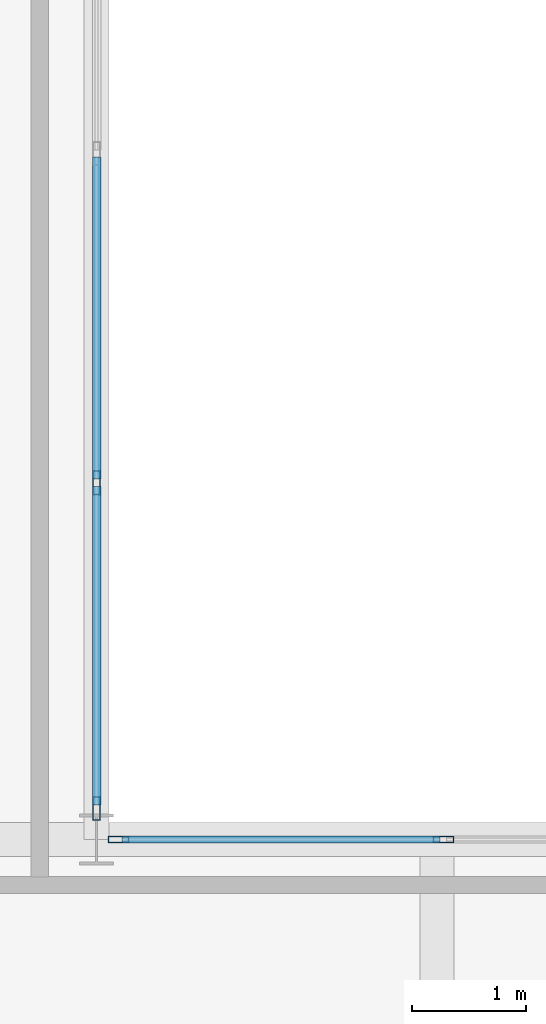
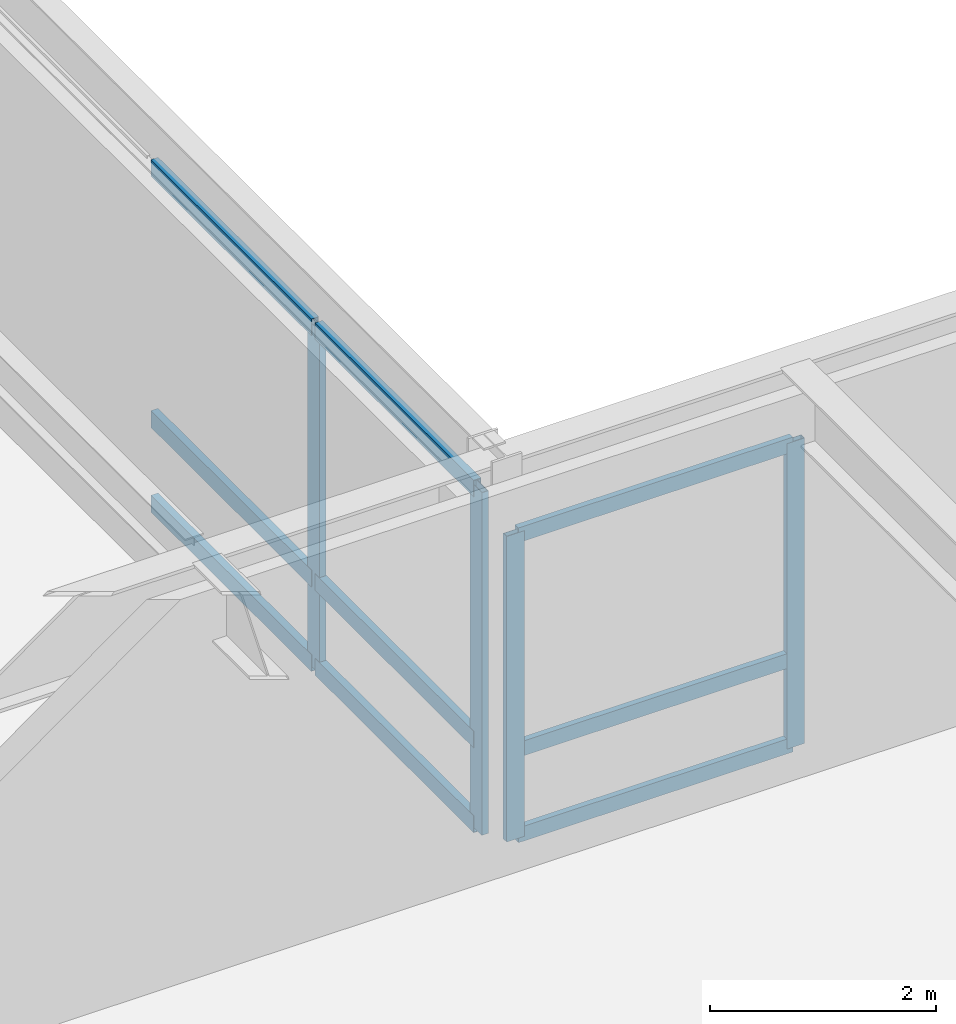
# One storey, part 45 of 115: 13 members, 2 elements without a shape of their own.
"""IFC4 building model written with IfcOpenShell, lengths in metres."""

import ifcopenshell
import ifcopenshell.guid

model = None  # the IFC model being written
_history = None  # IfcOwnerHistory: only IFC2X3 demands one
_inside = {}  # id of a spatial element -> (the spatial element, [elements in it])
_under = {}  # id of a project, library or spatial element -> (it, [spatial elements below it])
_declared = {}  # id of a project -> (the project, [libraries it declares])
_typed = {}  # id of a type object -> (the type object, [elements of that type])
_made_of = {}  # id of a material, layer set ... -> (it, [elements and type objects made of it])


def new_model(schema):
    """Start an empty IFC model of exactly this schema.

    Asked for "IFC4X3", IfcOpenShell would pick the latest addendum, in which some entities
    have other attributes; the version numbers below select the first issue.
    IFC2X3 requires an IfcOwnerHistory on every rooted entity: one is made here for all.
    """
    global model, _history
    if schema == "IFC4X3":
        model = ifcopenshell.file(schema_version=(4, 3, 0, 0))
    else:
        model = ifcopenshell.file(schema=schema)
    _inside.clear()
    _under.clear()
    _declared.clear()
    _typed.clear()
    _made_of.clear()
    _history = None
    if model.schema == "IFC2X3":
        org = make("IfcOrganization", Name="unknown")
        user = make(
            "IfcPersonAndOrganization",
            ThePerson=make("IfcPerson", FamilyName="unknown"),
            TheOrganization=org,
        )
        app = make(
            "IfcApplication",
            ApplicationDeveloper=org,
            Version="unknown",
            ApplicationFullName="unknown",
            ApplicationIdentifier="unknown",
        )
        _history = make(
            "IfcOwnerHistory",
            OwningUser=user,
            OwningApplication=app,
            ChangeAction="ADDED",
            CreationDate=0,
        )
    return model


def make(cls, **values):
    """One entity of the class cls with the attributes given. An attribute that is None is left unset."""
    return model.create_entity(
        cls, **{name: value for name, value in values.items() if value is not None}
    )


def rooted(cls, **values):
    """An entity with a GlobalId (a new one), such as an element, a storey or a relation."""
    return make(cls, GlobalId=ifcopenshell.guid.new(), OwnerHistory=_history, **values)


def si_unit(unit_type, name, prefix=None):
    """IfcSIUnit, for example si_unit("LENGTHUNIT", "METRE", prefix="MILLI")."""
    return make("IfcSIUnit", UnitType=unit_type, Prefix=prefix, Name=name)


def assignment(units):
    """IfcUnitAssignment: the units of a project."""
    return None if units is None else make("IfcUnitAssignment", Units=units)


def point(xyz):
    """IfcCartesianPoint."""
    return None if xyz is None else make("IfcCartesianPoint", Coordinates=xyz)


def direction(xyz):
    """IfcDirection."""
    return None if xyz is None else make("IfcDirection", DirectionRatios=xyz)


def frame(location, z_axis=None, x_axis=None):
    """IfcAxis2Placement3D, a coordinate frame: its origin and axes. An axis left out is left unset."""
    return make(
        "IfcAxis2Placement3D",
        Location=point(location),
        Axis=direction(z_axis),
        RefDirection=direction(x_axis),
    )


def frame_2d(location, x_axis=None):
    """IfcAxis2Placement2D, a coordinate frame in the plane: its origin and x axis."""
    return make(
        "IfcAxis2Placement2D", Location=point(location), RefDirection=direction(x_axis)
    )


def origin():
    """The frame at (0, 0, 0) with its axes left unset."""
    return frame((0.0, 0.0, 0.0))


def origin_2d():
    """The frame at (0, 0) in the plane with its x axis left unset."""
    return frame_2d((0.0, 0.0))


def place(relative_to, where):
    """IfcLocalPlacement: puts the frame where relative to a parent placement (None: the world)."""
    return make(
        "IfcLocalPlacement", PlacementRelTo=relative_to, RelativePlacement=where
    )


def context(
    kind, dimensions, precision=None, world=None, true_north=None, identifier=None
):
    """IfcGeometricRepresentationContext, for example the 3D "Model" context."""
    return make(
        "IfcGeometricRepresentationContext",
        ContextIdentifier=identifier,
        ContextType=kind,
        CoordinateSpaceDimension=dimensions,
        Precision=precision,
        WorldCoordinateSystem=world,
        TrueNorth=true_north,
    )


def subcontext(parent, identifier, kind, view, scale=None):
    """IfcGeometricRepresentationSubContext, for example "Body" below "Model"."""
    return make(
        "IfcGeometricRepresentationSubContext",
        ContextIdentifier=identifier,
        ContextType=kind,
        ParentContext=parent,
        TargetScale=scale,
        TargetView=view,
    )


def project(units=None, contexts=None):
    """IfcProject with its units and contexts."""
    return rooted(
        "IfcProject",
        Name="project",
        RepresentationContexts=contexts,
        UnitsInContext=assignment(units),
    )


def spatial(cls, under=None, at=None, **own):
    """A site, building, storey or space (cls), placed at a placement, below another one or the project."""
    s = rooted(cls, ObjectPlacement=at, **own)
    if under is not None:
        _under.setdefault(under.id(), (under, []))[1].append(s)
    return s


def profile(cls, at=None, kind="AREA", **sizes):
    """A parametric profile (cls). Its sizes go by their IFC names, for example OverallWidth=200.0."""
    return make(cls, ProfileType=kind, Position=at, **sizes)


def hollow_rectangle(**sizes):
    """IfcRectangleHollowProfileDef."""
    return profile("IfcRectangleHollowProfileDef", **sizes)


def extrude(swept, where, along, depth):
    """IfcExtrudedAreaSolid: the profile swept, set in the frame where, extruded along a direction by depth."""
    return make(
        "IfcExtrudedAreaSolid",
        SweptArea=swept,
        Position=where,
        ExtrudedDirection=direction(along),
        Depth=depth,
    )


def shape(context_of_items, identifier, shape_type, items):
    """IfcShapeRepresentation: the items that make up one representation, for example the "Body"."""
    return make(
        "IfcShapeRepresentation",
        ContextOfItems=context_of_items,
        RepresentationIdentifier=identifier,
        RepresentationType=shape_type,
        Items=items,
    )


def material(Name=None, Category=None):
    """IfcMaterial."""
    return make("IfcMaterial", Name=Name, Category=Category)


def layer(
    of_material, thickness, ventilated=None, Name=None, Category=None, Priority=None
):
    """IfcMaterialLayer: one layer of a wall or slab, of a material (None: an air gap)."""
    return make(
        "IfcMaterialLayer",
        Material=of_material,
        LayerThickness=thickness,
        IsVentilated=ventilated,
        Name=Name,
        Category=Category,
        Priority=Priority,
    )


def layer_set(layers, Name=None):
    """IfcMaterialLayerSet."""
    return make("IfcMaterialLayerSet", MaterialLayers=layers, LayerSetName=Name)


def material_profile(
    of_material, cross_section, Name=None, Category=None, Priority=None
):
    """IfcMaterialProfile: a cross section and its material."""
    return make(
        "IfcMaterialProfile",
        Name=Name,
        Material=of_material,
        Profile=cross_section,
        Priority=Priority,
        Category=Category,
    )


def profile_set(profiles, Name=None, composite=None):
    """IfcMaterialProfileSet."""
    return make(
        "IfcMaterialProfileSet",
        Name=Name,
        MaterialProfiles=profiles,
        CompositeProfile=composite,
    )


def made_of(thing, what):
    """Note that an element or type object is made of a material, layer set ...; save() writes the relation."""
    if what is not None:
        _made_of.setdefault(what.id(), (what, []))[1].append(thing)
    return thing


def type_object(cls, material=None, **own):
    """A type object (cls), such as IfcWallType, which elements share."""
    return made_of(rooted(cls, **own), material)


def element(
    cls,
    number,
    at=None,
    inside=None,
    cuts=None,
    type_object=None,
    material=None,
    context=None,
    identifier="Body",
    shape_type=None,
    held_by="IfcProductDefinitionShape",
    body=None,
    shapes=None,
    **own,
):
    """One element of the class cls, such as IfcWall. Its Tag is "e" and its number.

    at: its placement. inside: the storey or other place that contains it. cuts: it is an
    opening in that element (IfcRelVoidsElement). A single representation is given by context,
    identifier, shape_type and body (its items); several are given by shapes. held_by: the class
    of the entity that holds the representations. save() writes the other relations.
    """
    e = rooted(cls, Tag="e%d" % number, ObjectPlacement=at, **own)
    if body is not None:
        shapes = [shape(context, identifier, shape_type, body)]
    if shapes is not None:
        e.Representation = make(held_by, Representations=shapes)
    if inside is not None:
        _inside.setdefault(inside.id(), (inside, []))[1].append(e)
    if cuts is not None:
        rooted(
            "IfcRelVoidsElement", RelatingBuildingElement=cuts, RelatedOpeningElement=e
        )
    if type_object is not None:
        _typed.setdefault(type_object.id(), (type_object, []))[1].append(e)
    return made_of(e, material)


def aggregate(whole, parts):
    """IfcRelAggregates: a whole, such as a stair, and the parts it consists of."""
    return rooted("IfcRelAggregates", RelatingObject=whole, RelatedObjects=parts)


def save(model, path):
    """Write the relations noted so far, then the file.

    IfcRelAggregates (storeys below a building ...), IfcRelContainedInSpatialStructure (elements
    in a storey), IfcRelDefinesByType, IfcRelAssociatesMaterial and IfcRelDeclares: one each for
    every whole, place, type object, material and project.
    """
    for whole, parts in _under.values():
        aggregate(whole, parts)
    for where, things in _inside.values():
        rooted(
            "IfcRelContainedInSpatialStructure",
            RelatedElements=things,
            RelatingStructure=where,
        )
    for kind, things in _typed.values():
        rooted("IfcRelDefinesByType", RelatedObjects=things, RelatingType=kind)
    for what, things in _made_of.values():
        rooted("IfcRelAssociatesMaterial", RelatedObjects=things, RelatingMaterial=what)
    for by, libraries in _declared.values():
        rooted("IfcRelDeclares", RelatingContext=by, RelatedDefinitions=libraries)
    model.write(path)


model = new_model("IFC4")

# Units and contexts
model_context = context("Model", 3, precision=1e-05, world=origin(), true_north=direction((0.0, 1.0)))
body_context = subcontext(model_context, "Body", "Model", "MODEL_VIEW")
ifc_project = project(units=[si_unit("LENGTHUNIT", "METRE"), si_unit("AREAUNIT", "SQUARE_METRE"), si_unit("VOLUMEUNIT", "CUBIC_METRE"), si_unit("PLANEANGLEUNIT", "RADIAN"), si_unit("MASSUNIT", "GRAM", prefix="KILO")], contexts=[model_context])

# Site, building, storey
site_placement = place(None, origin())
site = spatial("IfcSite", under=ifc_project, at=site_placement, CompositionType="ELEMENT")
building_placement = place(site_placement, origin())
building = spatial("IfcBuilding", under=site, at=building_placement, Name="Montelvaro Courts of Justice", CompositionType="ELEMENT")
storey_placement = place(building_placement, frame((0.0, 0.0, 9.89990234375)))
storey = spatial("IfcBuildingStorey", under=building, at=storey_placement, Name="L02", CompositionType="ELEMENT", Elevation=9.89990234375)

# Curtain wall, members
ifc_material = material(Name="Anodised aluminium EN AW-6063", Category="aluminium")
ifc_layer_1 = layer(ifc_material, 0.159912109375)
ifc_layer_set_1 = layer_set([ifc_layer_1], Name="Anodised aluminium EN AW-6063")
curtain_wall_type_1 = type_object("IfcCurtainWallType", Name="CurtainWall_14_867x418", PredefinedType="USERDEFINED", material=ifc_layer_set_1)
curtain_wall_1_placement = place(storey_placement, origin())
curtain_wall_1 = element("IfcCurtainWall", 1, at=curtain_wall_1_placement, inside=storey, type_object=curtain_wall_type_1, Name="Curtain Wall CW-14 (L02)", ObjectType="CURTAIN WALL", PredefinedType="USERDEFINED")
ifc_material_profile_1 = material_profile(ifc_material, hollow_rectangle(XDim=0.06005859375, YDim=0.179931640625, WallThickness=0.00439453125, at=origin_2d()), Name="ALU-M 60x180")
ifc_profile_set_1 = profile_set([ifc_material_profile_1], Name="Anodised aluminium EN AW-6063")
member_type_1 = type_object("IfcMemberType", Name="CurtainWall_Mullion_60x180", PredefinedType="MULLION", material=ifc_profile_set_1)
member_1_placement = place(storey_placement, frame((129.054931640625, 42.0, 0.0), z_axis=(0.0, 0.0, 1.0), x_axis=(0.0, -1.0, 0.0)))
member_1 = element("IfcMember", 2, at=member_1_placement, type_object=member_type_1, Name="CW-14 mullion 3", PredefinedType="MULLION", context=body_context, shape_type="SweptSolid", body=[
    extrude(hollow_rectangle(XDim=0.06005859375, YDim=0.179931640625, WallThickness=0.00439453125, at=origin_2d()), origin(), (0.0, 0.0, 1.0), 3.295166015625),
])
member_2_placement = place(storey_placement, frame((126.195068359375, 42.0, 0.0), z_axis=(0.0, 0.0, 1.0), x_axis=(0.0, -1.0, 0.0)))
member_2 = element("IfcMember", 3, at=member_2_placement, type_object=member_type_1, Name="CW-14 mullion 4", PredefinedType="MULLION", context=body_context, shape_type="SweptSolid", body=[
    extrude(hollow_rectangle(XDim=0.06005859375, YDim=0.179931640625, WallThickness=0.00439453125, at=origin_2d()), origin(), (0.0, 0.0, 1.0), 3.295166015625),
])

ifc_layer_2 = layer(ifc_material, 0.159912109375)
ifc_layer_set_2 = layer_set([ifc_layer_2], Name="Anodised aluminium EN AW-6063")
curtain_wall_type_2 = type_object("IfcCurtainWallType", Name="CurtainWall_19_1159x418", PredefinedType="USERDEFINED", material=ifc_layer_set_2)
curtain_wall_2_placement = place(storey_placement, origin())
curtain_wall_2 = element("IfcCurtainWall", 4, at=curtain_wall_2_placement, inside=storey, type_object=curtain_wall_type_2, Name="Curtain Wall CW-19 (L02)", ObjectType="CURTAIN WALL", PredefinedType="USERDEFINED")
ifc_material_profile_2 = material_profile(ifc_material, hollow_rectangle(XDim=0.06494140625, YDim=0.2099609375, WallThickness=0.0048828125, at=origin_2d()), Name="ALU-M 65x210")
ifc_profile_set_2 = profile_set([ifc_material_profile_2], Name="Anodised aluminium EN AW-6063")
member_type_2 = type_object("IfcMemberType", Name="CurtainWall_Mullion_65x210", PredefinedType="MULLION", material=ifc_profile_set_2)
member_3_placement = place(storey_placement, frame((126.0, 42.2724609375, 0.0), z_axis=(0.0, 0.0, 1.0), x_axis=(-1.0, 0.0, 0.0)))
member_3 = element("IfcMember", 5, at=member_3_placement, type_object=member_type_2, Name="CW-19 mullion 1", PredefinedType="MULLION", context=body_context, shape_type="SweptSolid", body=[
    extrude(hollow_rectangle(XDim=0.06494140625, YDim=0.2099609375, WallThickness=0.0048828125, at=origin_2d()), origin(), (0.0, 0.0, 1.0), 3.695068359375),
])
member_4_placement = place(storey_placement, frame((126.0, 45.141357421875, 0.0), z_axis=(0.0, 0.0, 1.0), x_axis=(-1.0, 0.0, 0.0)))
member_4 = element("IfcMember", 6, at=member_4_placement, type_object=member_type_2, Name="CW-19 mullion 2", PredefinedType="MULLION", context=body_context, shape_type="SweptSolid", body=[
    extrude(hollow_rectangle(XDim=0.06494140625, YDim=0.2099609375, WallThickness=0.0048828125, at=origin_2d()), origin(), (0.0, 0.0, 1.0), 3.695068359375),
])

# Member
ifc_material_profile_3 = material_profile(ifc_material, hollow_rectangle(XDim=0.06005859375, YDim=0.159912109375, WallThickness=0.00439453125, at=origin_2d()), Name="ALU-T 60x160")
ifc_profile_set_3 = profile_set([ifc_material_profile_3], Name="Anodised aluminium EN AW-6063")
member_type_3 = type_object("IfcMemberType", Name="CurtainWall_Transom_60x160", PredefinedType="USERDEFINED", material=ifc_profile_set_3)
member_5_placement = place(storey_placement, frame((129.02490234375, 42.0, 0.030029296875), z_axis=(-1.0, 0.0, 0.0), x_axis=(0.0, -1.0, 0.0)))
member_5 = element("IfcMember", 7, at=member_5_placement, type_object=member_type_3, Name="CW-14 transom 3.1", ObjectType="TRANSOM", PredefinedType="USERDEFINED", context=body_context, shape_type="SweptSolid", body=[
    extrude(hollow_rectangle(XDim=0.06005859375, YDim=0.159912109375, WallThickness=0.00439453125, at=origin_2d()), origin(), (0.0, 0.0, 1.0), 2.7998046875),
])

member_6_placement = place(storey_placement, frame((129.02490234375, 42.0, 0.9501953125), z_axis=(-1.0, 0.0, 0.0), x_axis=(0.0, -1.0, 0.0)))
member_6 = element("IfcMember", 8, at=member_6_placement, type_object=member_type_3, Name="CW-14 transom 3.2", ObjectType="TRANSOM", PredefinedType="USERDEFINED", context=body_context, shape_type="SweptSolid", body=[
    extrude(hollow_rectangle(XDim=0.06005859375, YDim=0.159912109375, WallThickness=0.00439453125, at=origin_2d()), origin(), (0.0, 0.0, 1.0), 2.7998046875),
])

member_7_placement = place(storey_placement, frame((129.02490234375, 42.0, 3.26513671875), z_axis=(-1.0, 0.0, 0.0), x_axis=(0.0, -1.0, 0.0)))
member_7 = element("IfcMember", 9, at=member_7_placement, type_object=member_type_3, Name="CW-14 transom 3.3", ObjectType="TRANSOM", PredefinedType="USERDEFINED", context=body_context, shape_type="SweptSolid", body=[
    extrude(hollow_rectangle(XDim=0.06005859375, YDim=0.159912109375, WallThickness=0.00439453125, at=origin_2d()), origin(), (0.0, 0.0, 1.0), 2.7998046875),
])

aggregate(curtain_wall_1, [member_1, member_2, member_5, member_6, member_7])

ifc_material_profile_4 = material_profile(ifc_material, hollow_rectangle(XDim=0.074951171875, YDim=0.179931640625, WallThickness=0.0048828125, at=origin_2d()), Name="ALU-T 75x180")
ifc_profile_set_4 = profile_set([ifc_material_profile_4], Name="Anodised aluminium EN AW-6063")
member_type_4 = type_object("IfcMemberType", Name="CurtainWall_Transom_75x180", PredefinedType="USERDEFINED", material=ifc_profile_set_4)
member_8_placement = place(storey_placement, frame((126.0, 42.304931640625, 0.03759765625), z_axis=(0.0, 1.0, 0.0), x_axis=(-1.0, 0.0, 0.0)))
member_8 = element("IfcMember", 10, at=member_8_placement, type_object=member_type_4, Name="CW-19 transom 1.1", ObjectType="TRANSOM", PredefinedType="USERDEFINED", context=body_context, shape_type="SweptSolid", body=[
    extrude(hollow_rectangle(XDim=0.074951171875, YDim=0.179931640625, WallThickness=0.0048828125, at=origin_2d()), origin(), (0.0, 0.0, 1.0), 2.8037109375),
])

member_9_placement = place(storey_placement, frame((126.0, 42.304931640625, 0.9501953125), z_axis=(0.0, 1.0, 0.0), x_axis=(-1.0, 0.0, 0.0)))
member_9 = element("IfcMember", 11, at=member_9_placement, type_object=member_type_4, Name="CW-19 transom 1.2", ObjectType="TRANSOM", PredefinedType="USERDEFINED", context=body_context, shape_type="SweptSolid", body=[
    extrude(hollow_rectangle(XDim=0.074951171875, YDim=0.179931640625, WallThickness=0.0048828125, at=origin_2d()), origin(), (0.0, 0.0, 1.0), 2.8037109375),
])

member_10_placement = place(storey_placement, frame((126.0, 42.304931640625, 3.65771484375), z_axis=(0.0, 1.0, 0.0), x_axis=(-1.0, 0.0, 0.0)))
member_10 = element("IfcMember", 12, at=member_10_placement, type_object=member_type_4, Name="CW-19 transom 1.3", ObjectType="TRANSOM", PredefinedType="USERDEFINED", context=body_context, shape_type="SweptSolid", body=[
    extrude(hollow_rectangle(XDim=0.074951171875, YDim=0.179931640625, WallThickness=0.0048828125, at=origin_2d()), origin(), (0.0, 0.0, 1.0), 2.8037109375),
])

member_11_placement = place(storey_placement, frame((126.0, 45.173828125, 0.03759765625), z_axis=(0.0, 1.0, 0.0), x_axis=(-1.0, 0.0, 0.0)))
member_11 = element("IfcMember", 13, at=member_11_placement, type_object=member_type_4, Name="CW-19 transom 2.1", ObjectType="TRANSOM", PredefinedType="USERDEFINED", context=body_context, shape_type="SweptSolid", body=[
    extrude(hollow_rectangle(XDim=0.074951171875, YDim=0.179931640625, WallThickness=0.0048828125, at=origin_2d()), origin(), (0.0, 0.0, 1.0), 2.836181640625),
])

member_12_placement = place(storey_placement, frame((126.0, 45.173828125, 0.9501953125), z_axis=(0.0, 1.0, 0.0), x_axis=(-1.0, 0.0, 0.0)))
member_12 = element("IfcMember", 14, at=member_12_placement, type_object=member_type_4, Name="CW-19 transom 2.2", ObjectType="TRANSOM", PredefinedType="USERDEFINED", context=body_context, shape_type="SweptSolid", body=[
    extrude(hollow_rectangle(XDim=0.074951171875, YDim=0.179931640625, WallThickness=0.0048828125, at=origin_2d()), origin(), (0.0, 0.0, 1.0), 2.836181640625),
])

member_13_placement = place(storey_placement, frame((126.0, 45.173828125, 3.65771484375), z_axis=(0.0, 1.0, 0.0), x_axis=(-1.0, 0.0, 0.0)))
member_13 = element("IfcMember", 15, at=member_13_placement, type_object=member_type_4, Name="CW-19 transom 2.3", ObjectType="TRANSOM", PredefinedType="USERDEFINED", context=body_context, shape_type="SweptSolid", body=[
    extrude(hollow_rectangle(XDim=0.074951171875, YDim=0.179931640625, WallThickness=0.0048828125, at=origin_2d()), origin(), (0.0, 0.0, 1.0), 2.836181640625),
])

aggregate(curtain_wall_2, [member_3, member_4, member_8, member_9, member_10, member_11, member_12, member_13])

save(model, "model.ifc")
